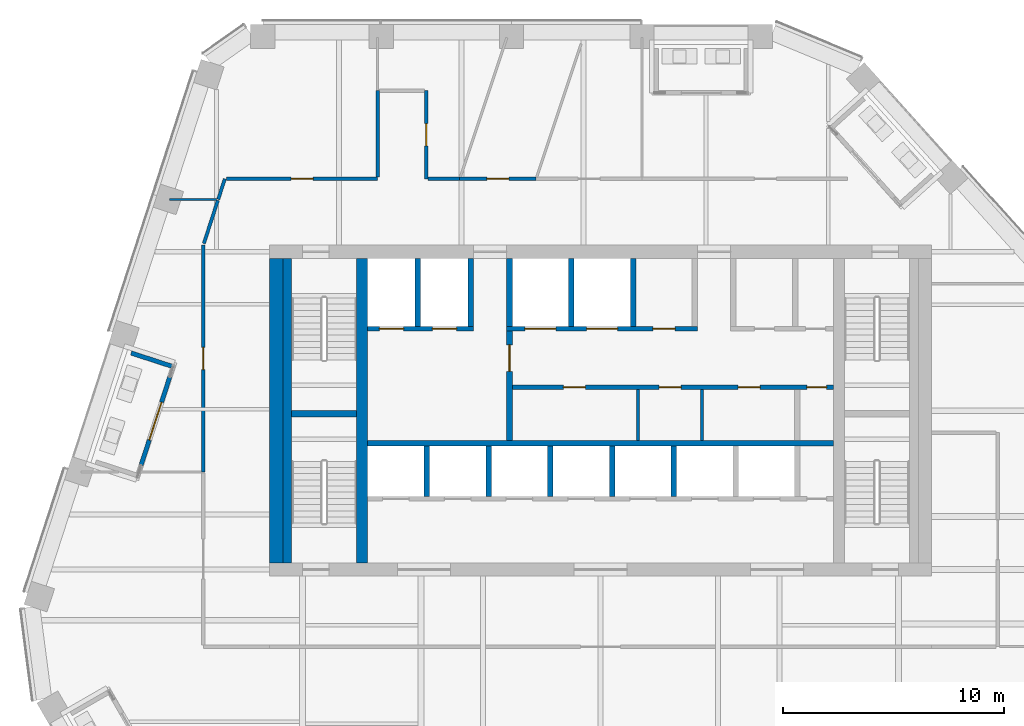
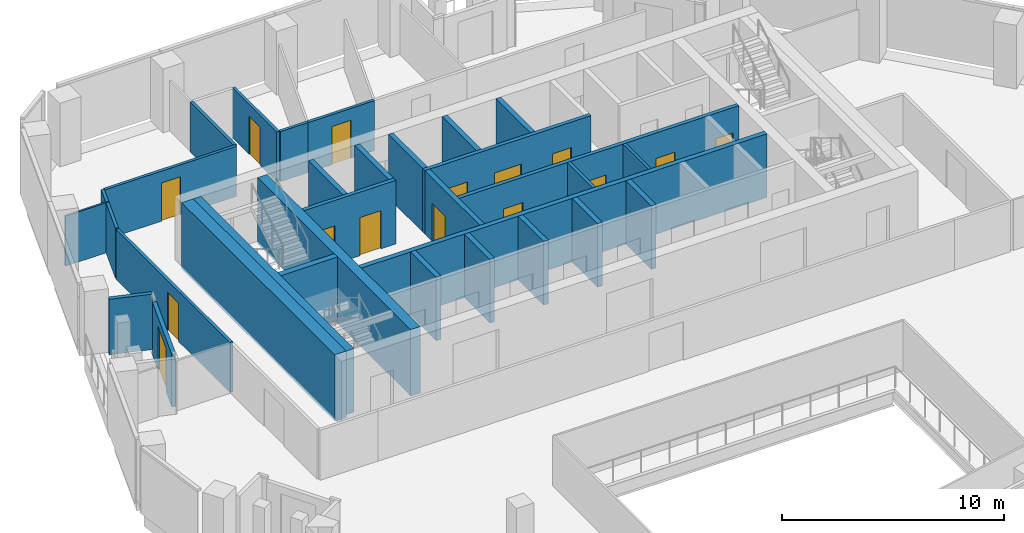
# One storey, part 16 of 24: 32 walls, 15 doors, 15 openings.
"""IFC4 building model written with IfcOpenShell, lengths in metres."""

from ifc_helpers import new_model, si_unit, direction, frame, frame_2d, origin, place, context, subcontext, project, spatial, rectangle, extrude, material, layer, layer_set, type_object, element, fill, save


model = new_model("IFC4")

# Units and contexts
model_context = context("Model", 3, precision=1e-05, world=origin(), true_north=direction((0.0, 1.0)))
body_context = subcontext(model_context, "Body", "Model", "MODEL_VIEW")
ifc_project = project(units=[si_unit("LENGTHUNIT", "METRE"), si_unit("AREAUNIT", "SQUARE_METRE"), si_unit("VOLUMEUNIT", "CUBIC_METRE"), si_unit("PLANEANGLEUNIT", "RADIAN"), si_unit("MASSUNIT", "GRAM", prefix="KILO")], contexts=[model_context])

# Site, building, storey
site_placement = place(None, origin())
site = spatial("IfcSite", under=ifc_project, at=site_placement, CompositionType="ELEMENT")
building_placement = place(site_placement, origin())
building = spatial("IfcBuilding", under=site, at=building_placement, Name="Isthmus Gate Tower", CompositionType="ELEMENT")
storey_placement = place(building_placement, frame((0.0, 0.0, 219.949951171875)))
storey = spatial("IfcBuildingStorey", under=building, at=storey_placement, Name="L55", CompositionType="ELEMENT", Elevation=219.949951171875)

# Wall, opening, door
ifc_material_1 = material(Name="Gypsum board on steel studs, fire-rated", Category="steel")
ifc_layer_1 = layer(ifc_material_1, 0.14990234375)
ifc_layer_set_1 = layer_set([ifc_layer_1], Name="CORRIDOR WALL 150 60 MIN")
wall_type_1 = type_object("IfcWallType", Name="CORRIDOR WALL 150 60 MIN", PredefinedType="PARTITIONING", material=ifc_layer_set_1)
wall_1_placement = place(storey_placement, frame((-7.89990234375, 22.0, 0.0), z_axis=(0.0, 0.0, 1.0), x_axis=(0.0, -1.0, 0.0)))
wall_1 = element("IfcWall", 1, at=wall_1_placement, inside=storey, type_object=wall_type_1, Name="L55 Corridor Wall 150 60 Min", PredefinedType="PARTITIONING", context=body_context, shape_type="SweptSolid", body=[
    extrude(rectangle(XDim=4.0, YDim=0.14990234375, at=frame_2d((2.0, 0.0))), origin(), (0.0, 0.0, 1.0), 2.750732421875),
])
opening_1_placement = place(wall_1_placement, frame((1.5, 0.0, 0.0)))
opening_1 = element("IfcOpeningElement", 2, at=opening_1_placement, cuts=wall_1, Name="Opening DT-T5A-09", PredefinedType="OPENING", context=body_context, shape_type="SweptSolid", body=[
    extrude(rectangle(XDim=1.0, YDim=2.10009765625, at=frame_2d((0.5, 1.050048828125))), frame((0.0, 0.0849609375, 0.0), z_axis=(0.0, -1.0, 0.0), x_axis=(1.0, 0.0, 0.0)), (0.0, 0.0, 1.0), 0.169921875),
])
ifc_material_2 = material(Name="Solid core timber door leaf, fire-rated", Category="wood")
door_type_1 = type_object("IfcDoorType", Name="FIRE DOOR ROOM 1000 X 2100 60 MIN", OperationType="SINGLE_SWING_LEFT", PredefinedType="DOOR", material=ifc_material_2)
door_1_placement = place(opening_1_placement, origin())
door_1 = element("IfcDoor", 3, at=door_1_placement, inside=storey, type_object=door_type_1, Name="L55 room door", OperationType="SINGLE_SWING_RIGHT", OverallHeight=2.10009765625, OverallWidth=1.0, PredefinedType="DOOR", context=body_context, shape_type="SweptSolid", body=[
    extrude(rectangle(XDim=1.0, YDim=2.10009765625, at=frame_2d((0.5, 1.050048828125))), frame((0.0, 0.02490234375, 0.0), z_axis=(0.0, -1.0, 0.0), x_axis=(1.0, 0.0, 0.0)), (0.0, 0.0, 1.0), 0.050048828125),
])
fill(opening_1, door_1)

# Wall
wall_2_placement = place(storey_placement, frame((-17.326904296875, 17.071044921875, 0.0), z_axis=(0.0, 0.0, 1.0), x_axis=(0.309170843074, 0.951006514064, 0.0)))
element("IfcWall", 4, at=wall_2_placement, inside=storey, type_object=wall_type_1, Name="L55 Corridor Wall 150 60 Min", PredefinedType="PARTITIONING", context=body_context, shape_type="SweptSolid", body=[
    extrude(rectangle(XDim=0.976806640625, YDim=0.14990234375, at=frame_2d((0.48828125, 0.0))), origin(), (0.0, 0.0, 1.0), 2.750732421875),
])

# Wall, opening, door
wall_3_placement = place(storey_placement, frame((-16.949951171875, 18.0, 0.0), z_axis=(0.0, 0.0, 1.0), x_axis=(1.0, 0.0, 0.0)))
wall_3 = element("IfcWall", 5, at=wall_3_placement, inside=storey, type_object=wall_type_1, Name="L55 Corridor Wall 150 60 Min", PredefinedType="PARTITIONING", context=body_context, shape_type="SweptSolid", body=[
    extrude(rectangle(XDim=6.849853515625, YDim=0.14990234375, at=frame_2d((3.4248046875, 0.0))), origin(), (0.0, 0.0, 1.0), 2.750732421875),
])
opening_2_placement = place(wall_3_placement, frame((2.925048828125, 0.0, 0.0)))
opening_2 = element("IfcOpeningElement", 6, at=opening_2_placement, cuts=wall_3, Name="Opening DT-T5A-01", PredefinedType="OPENING", context=body_context, shape_type="SweptSolid", body=[
    extrude(rectangle(XDim=1.0, YDim=2.10009765625, at=frame_2d((0.5, 1.050048828125))), frame((0.0, 0.0849609375, 0.0), z_axis=(0.0, -1.0, 0.0), x_axis=(1.0, 0.0, 0.0)), (0.0, 0.0, 1.0), 0.169921875),
])
door_2_placement = place(opening_2_placement, origin())
door_2 = element("IfcDoor", 7, at=door_2_placement, inside=storey, type_object=door_type_1, Name="L55 room door", OperationType="SINGLE_SWING_RIGHT", OverallHeight=2.10009765625, OverallWidth=1.0, PredefinedType="DOOR", context=body_context, shape_type="SweptSolid", body=[
    extrude(rectangle(XDim=1.0, YDim=2.10009765625, at=frame_2d((0.5, 1.050048828125))), frame((0.0, 0.02490234375, 0.0), z_axis=(0.0, -1.0, 0.0), x_axis=(1.0, 0.0, 0.0)), (0.0, 0.0, 1.0), 0.050048828125),
])
fill(opening_2, door_2)

# Wall
wall_4_placement = place(storey_placement, frame((-10.10009765625, 18.074951171875, 0.0), z_axis=(0.0, 0.0, 1.0), x_axis=(0.0, 1.0, 0.0)))
element("IfcWall", 8, at=wall_4_placement, inside=storey, type_object=wall_type_1, Name="L55 Corridor Wall 150 60 Min", PredefinedType="PARTITIONING", context=body_context, shape_type="SweptSolid", body=[
    extrude(rectangle(XDim=3.925048828125, YDim=0.14990234375, at=frame_2d((1.96240234375, 0.0))), origin(), (0.0, 0.0, 1.0), 2.750732421875),
])

# Wall, opening, door
wall_5_placement = place(storey_placement, frame((-18.0, 4.722900390625, 0.0), z_axis=(0.0, 0.0, 1.0), x_axis=(0.0, 1.0, 0.0)))
wall_5 = element("IfcWall", 9, at=wall_5_placement, inside=storey, type_object=wall_type_1, Name="L55 Corridor Wall 150 60 Min", PredefinedType="PARTITIONING", context=body_context, shape_type="SweptSolid", body=[
    extrude(rectangle(XDim=10.275146484375, YDim=0.14990234375, at=frame_2d((5.1376953125, 0.0))), origin(), (0.0, 0.0, 1.0), 2.750732421875),
])
opening_3_placement = place(wall_5_placement, frame((4.637451171875, 0.0, 0.0)))
opening_3 = element("IfcOpeningElement", 10, at=opening_3_placement, cuts=wall_5, Name="Opening DT-T5A-03", PredefinedType="OPENING", context=body_context, shape_type="SweptSolid", body=[
    extrude(rectangle(XDim=1.0, YDim=2.10009765625, at=frame_2d((0.5, 1.050048828125))), frame((0.0, 0.0849609375, 0.0), z_axis=(0.0, -1.0, 0.0), x_axis=(1.0, 0.0, 0.0)), (0.0, 0.0, 1.0), 0.169921875),
])
door_3_placement = place(opening_3_placement, origin())
door_3 = element("IfcDoor", 11, at=door_3_placement, inside=storey, type_object=door_type_1, Name="L55 room door", OperationType="SINGLE_SWING_RIGHT", OverallHeight=2.10009765625, OverallWidth=1.0, PredefinedType="DOOR", context=body_context, shape_type="SweptSolid", body=[
    extrude(rectangle(XDim=1.0, YDim=2.10009765625, at=frame_2d((0.5, 1.050048828125))), frame((0.0, 0.02490234375, 0.0), z_axis=(0.0, -1.0, 0.0), x_axis=(1.0, 0.0, 0.0)), (0.0, 0.0, 1.0), 0.050048828125),
])
fill(opening_3, door_3)

# Wall
wall_6_placement = place(storey_placement, frame((-17.976806640625, 15.0693359375, 0.0), z_axis=(0.0, 0.0, 1.0), x_axis=(0.308838863498, 0.951114376084, 0.0)))
element("IfcWall", 12, at=wall_6_placement, inside=storey, type_object=wall_type_1, Name="L55 Corridor Wall 150 60 Min", PredefinedType="PARTITIONING", context=body_context, shape_type="SweptSolid", body=[
    extrude(rectangle(XDim=2.054443359375, YDim=0.14990234375, at=frame_2d((1.02734375, 0.0))), origin(), (0.0, 0.0, 1.0), 2.750732421875),
])

# Wall, opening, door
wall_7_placement = place(storey_placement, frame((-6.382080078125, 18.0, 0.0), z_axis=(0.0, 0.0, 1.0), x_axis=(1.0, 0.0, 0.0)))
wall_7 = element("IfcWall", 13, at=wall_7_placement, inside=storey, type_object=wall_type_1, Name="L55 Corridor Wall 150 60 Min", PredefinedType="PARTITIONING", context=body_context, shape_type="SweptSolid", body=[
    extrude(rectangle(XDim=3.462158203125, YDim=0.14990234375, at=frame_2d((1.73095703125, 0.0))), origin(), (0.0, 0.0, 1.0), 2.750732421875),
])
opening_4_placement = place(wall_7_placement, frame((1.23095703125, 0.0, 0.0)))
opening_4 = element("IfcOpeningElement", 14, at=opening_4_placement, cuts=wall_7, Name="Opening DT-T5A-08", PredefinedType="OPENING", context=body_context, shape_type="SweptSolid", body=[
    extrude(rectangle(XDim=1.0, YDim=2.10009765625, at=frame_2d((0.5, 1.050048828125))), frame((0.0, 0.0849609375, 0.0), z_axis=(0.0, -1.0, 0.0), x_axis=(1.0, 0.0, 0.0)), (0.0, 0.0, 1.0), 0.169921875),
])
door_4_placement = place(opening_4_placement, origin())
door_4 = element("IfcDoor", 15, at=door_4_placement, inside=storey, type_object=door_type_1, Name="L55 room door", OperationType="SINGLE_SWING_RIGHT", OverallHeight=2.10009765625, OverallWidth=1.0, PredefinedType="DOOR", context=body_context, shape_type="SweptSolid", body=[
    extrude(rectangle(XDim=1.0, YDim=2.10009765625, at=frame_2d((0.5, 1.050048828125))), frame((0.0, 0.02490234375, 0.0), z_axis=(0.0, -1.0, 0.0), x_axis=(1.0, 0.0, 0.0)), (0.0, 0.0, 1.0), 0.050048828125),
])
fill(opening_4, door_4)

# Wall
wall_8_placement = place(storey_placement, frame((-7.824951171875, 18.0, 0.0), z_axis=(0.0, 0.0, 1.0), x_axis=(1.0, 0.0, 0.0)))
element("IfcWall", 16, at=wall_8_placement, inside=storey, type_object=wall_type_1, Name="L55 Corridor Wall 150 60 Min", PredefinedType="PARTITIONING", context=body_context, shape_type="SweptSolid", body=[
    extrude(rectangle(XDim=1.44287109375, YDim=0.14990234375, at=frame_2d((0.721435546875, 0.0))), origin(), (0.0, 0.0, 1.0), 2.750732421875),
])

# Wall, opening, door
ifc_material_3 = material(Name="Fire-rated blockwork masonry, 15 MPa", Category="masonry")
ifc_layer_2 = layer(ifc_material_3, 0.25)
ifc_layer_set_2 = layer_set([ifc_layer_2], Name="FIRE-FIGHTING LOBBY WALL 250 90 MIN")
wall_type_2 = type_object("IfcWallType", Name="FIRE-FIGHTING LOBBY WALL 250 90 MIN", PredefinedType="PARTITIONING", material=ifc_layer_set_2)
wall_9_placement = place(storey_placement, frame((-4.125, 6.14990234375, 0.0), z_axis=(0.0, 0.0, 1.0), x_axis=(0.0, 1.0, 0.0)))
wall_9 = element("IfcWall", 17, at=wall_9_placement, inside=storey, type_object=wall_type_2, Name="L55 FIRE-FIGHTING LOBBY WALL 250 90 MIN", PredefinedType="PARTITIONING", context=body_context, shape_type="SweptSolid", body=[
    extrude(rectangle(XDim=4.9501953125, YDim=0.25, at=frame_2d((2.47509765625, 0.0))), origin(), (0.0, 0.0, 1.0), 3.5),
])
opening_5_placement = place(wall_9_placement, frame((3.125, 0.0, 0.0)))
opening_5 = element("IfcOpeningElement", 18, at=opening_5_placement, cuts=wall_9, Name="Opening DC-A17-01", PredefinedType="OPENING", context=body_context, shape_type="SweptSolid", body=[
    extrude(rectangle(XDim=1.199951171875, YDim=2.10009765625, at=frame_2d((0.60009765625, 1.050048828125))), frame((0.0, 0.135009765625, 0.0), z_axis=(0.0, -1.0, 0.0), x_axis=(1.0, 0.0, 0.0)), (0.0, 0.0, 1.0), 0.27001953125),
])
ifc_material_4 = material(Name="Steel door leaf, fire-rated", Category="steel")
door_type_2 = type_object("IfcDoorType", Name="LOBBY FIRE DOOR 1200 X 2100 90 MIN", OperationType="DOUBLE_DOOR_SINGLE_SWING", PredefinedType="DOOR", material=ifc_material_4)
door_5_placement = place(opening_5_placement, origin())
door_5 = element("IfcDoor", 19, at=door_5_placement, inside=storey, type_object=door_type_2, Name="Fire-fighting Lobby Door", OperationType="SINGLE_SWING_LEFT", OverallHeight=2.10009765625, OverallWidth=1.199951171875, PredefinedType="DOOR", context=body_context, shape_type="SweptSolid", body=[
    extrude(rectangle(XDim=1.199951171875, YDim=2.10009765625, at=frame_2d((0.60009765625, 1.050048828125))), frame((0.0, 0.02490234375, 0.0), z_axis=(0.0, -1.0, 0.0), x_axis=(1.0, 0.0, 0.0)), (0.0, 0.0, 1.0), 0.050048828125),
])
fill(opening_5, door_5)

ifc_material_5 = material(Name="Precast concrete C40/50", Category="concrete")
ifc_layer_3 = layer(ifc_material_5, 0.199951171875)
ifc_layer_set_3 = layer_set([ifc_layer_3], Name="LOGGIA WALL 200")
wall_type_3 = type_object("IfcWallType", Name="LOGGIA WALL 200", PredefinedType="SOLIDWALL", material=ifc_layer_set_3)
wall_10_placement = place(storey_placement, frame((-19.522216796875, 9.018798828125, 0.0), z_axis=(0.0, 0.0, 1.0), x_axis=(-0.30901640812, -0.951056706781, 0.0)))
wall_10 = element("IfcWall", 20, at=wall_10_placement, inside=storey, type_object=wall_type_3, Name="LOGGIA BACK WALL", PredefinedType="SOLIDWALL", context=body_context, shape_type="SweptSolid", body=[
    extrude(rectangle(XDim=4.199951171875, YDim=0.199951171875, at=frame_2d((2.10009765625, 0.0))), origin(), (0.0, 0.0, 1.0), 2.89990234375),
])
opening_6_placement = place(wall_10_placement, frame((1.199951171875, 0.0, 0.0)))
opening_6 = element("IfcOpeningElement", 21, at=opening_6_placement, cuts=wall_10, Name="Opening DE55-02", PredefinedType="OPENING", context=body_context, shape_type="SweptSolid", body=[
    extrude(rectangle(XDim=1.800048828125, YDim=2.39990234375, at=frame_2d((0.89990234375, 1.199951171875))), frame((0.0, 0.10986328125, 0.0), z_axis=(0.0, -1.0, 0.0), x_axis=(1.0, 0.0, 0.0)), (0.0, 0.0, 1.0), 0.219970703125),
])
ifc_material_6 = material(Name="Aluminium, pale champagne anodised, laminated glass", Category="aluminium")
door_type_3 = type_object("IfcDoorType", Name="LOGGIA DOOR SLIDING 1800 X 2400", OperationType="DOUBLE_DOOR_SLIDING", PredefinedType="DOOR", material=ifc_material_6)
door_6_placement = place(opening_6_placement, origin())
door_6 = element("IfcDoor", 22, at=door_6_placement, inside=storey, type_object=door_type_3, Name="DOOR DE55-02", OperationType="SINGLE_SWING_LEFT", OverallHeight=2.39990234375, OverallWidth=1.800048828125, PredefinedType="DOOR", context=body_context, shape_type="SweptSolid", body=[
    extrude(rectangle(XDim=1.800048828125, YDim=2.39990234375, at=frame_2d((0.89990234375, 1.199951171875))), frame((0.0, 0.02490234375, 0.0), z_axis=(0.0, -1.0, 0.0), x_axis=(1.0, 0.0, 0.0)), (0.0, 0.0, 1.0), 0.050048828125),
])
fill(opening_6, door_6)

# Walls
wall_11_placement = place(storey_placement, frame((-21.27099609375, 10.108642578125, 0.0), z_axis=(0.0, 0.0, 1.0), x_axis=(0.951019598045, -0.309130593981, 0.0)))
element("IfcWall", 23, at=wall_11_placement, inside=storey, type_object=wall_type_3, Name="LOGGIA SIDE WALL", PredefinedType="SOLIDWALL", context=body_context, shape_type="SweptSolid", body=[
    extrude(rectangle(XDim=1.98388671875, YDim=0.199951171875, at=frame_2d((0.991943359375, 0.0))), origin(), (0.0, 0.0, 1.0), 3.050048828125),
])
ifc_material_7 = material(Name="Concrete f'c 50 MPa", Category="concrete")
ifc_layer_4 = layer(ifc_material_7, 0.5)
ifc_layer_set_4 = layer_set([ifc_layer_4], Name="RC CORE SPINE WALL 500 F'C 50")
wall_type_4 = type_object("IfcWallType", Name="RC CORE SPINE WALL 500 F'C 50", PredefinedType="SOLIDWALL", material=ifc_layer_set_4)
wall_12_placement = place(storey_placement, frame((-10.800048828125, 0.60009765625, -0.14990234375), z_axis=(0.0, 0.0, 1.0), x_axis=(0.0, 1.0, 0.0)))
element("IfcWall", 24, at=wall_12_placement, inside=storey, type_object=wall_type_4, Name="str-corewall-L55-SPW", PredefinedType="SOLIDWALL", context=body_context, shape_type="SweptSolid", body=[
    extrude(rectangle(XDim=13.7998046875, YDim=0.5, at=frame_2d((6.89990234375, 0.0))), origin(), (0.0, 0.0, 1.0), 3.64990234375),
])
ifc_material_8 = material(Name="Concrete f'c 50 MPa", Category="concrete")
ifc_layer_5 = layer(ifc_material_8, 0.60009765625)
ifc_layer_set_5 = layer_set([ifc_layer_5], Name="RC CORE WALL 600 F'C 50")
wall_type_5 = type_object("IfcWallType", Name="RC CORE WALL 600 F'C 50", PredefinedType="SOLIDWALL", material=ifc_layer_set_5)
wall_13_placement = place(storey_placement, frame((-14.699951171875, 0.60009765625, -0.14990234375), z_axis=(0.0, 0.0, 1.0), x_axis=(0.0, 1.0, 0.0)))
element("IfcWall", 25, at=wall_13_placement, inside=storey, type_object=wall_type_5, Name="str-corewall-L55-W", PredefinedType="SOLIDWALL", context=body_context, shape_type="SweptSolid", body=[
    extrude(rectangle(XDim=13.7998046875, YDim=0.60009765625, at=frame_2d((6.89990234375, 0.0))), origin(), (0.0, 0.0, 1.0), 3.64990234375),
])
ifc_material_9 = material(Name="Gypsum board on steel studs, fire-rated", Category="steel")
ifc_layer_6 = layer(ifc_material_9, 0.10009765625)
ifc_layer_set_6 = layer_set([ifc_layer_6], Name="ROOM PARTITION 100 30 MIN")
wall_type_6 = type_object("IfcWallType", Name="ROOM PARTITION 100 30 MIN", PredefinedType="PARTITIONING", material=ifc_layer_set_6)
wall_14_placement = place(storey_placement, frame((-19.534912109375, 17.071044921875, 0.0), z_axis=(0.0, 0.0, 1.0), x_axis=(1.0, 0.0, 0.0)))
element("IfcWall", 26, at=wall_14_placement, inside=storey, type_object=wall_type_6, Name="L55 Room Partition 100 30 Min", PredefinedType="PARTITIONING", context=body_context, shape_type="SweptSolid", body=[
    extrude(rectangle(XDim=2.1328125, YDim=0.10009765625, at=frame_2d((1.06640625, 0.0))), origin(), (0.0, 0.0, 1.0), 2.750732421875),
])
ifc_material_10 = material(Name="Gypsum board on steel studs, fire-rated", Category="steel")
ifc_layer_7 = layer(ifc_material_10, 0.14990234375)
ifc_layer_set_7 = layer_set([ifc_layer_7], Name="ROOM PARTITION 150 60 MIN")
wall_type_7 = type_object("IfcWallType", Name="ROOM PARTITION 150 60 MIN", PredefinedType="PARTITIONING", material=ifc_layer_set_7)
for number, where, z_axis, x_axis, name in (
    (27, (1.699951171875, 6.14990234375, 0.0), (0.0, 0.0, 1.0), (0.0, 1.0, 0.0), "L55 ROOM PARTITION 150 60 MIN"),
    (28, (4.60009765625, 6.14990234375, 0.0), (0.0, 0.0, 1.0), (0.0, 1.0, 0.0), "L55 ROOM PARTITION 150 60 MIN"),
):
    element("IfcWall", number, at=place(storey_placement, frame(where, z_axis=z_axis, x_axis=x_axis)), inside=storey, type_object=wall_type_7, Name=name, PredefinedType="PARTITIONING", context=body_context, shape_type="SweptSolid", body=[
        extrude(rectangle(XDim=2.300048828125, YDim=0.14990234375, at=frame_2d((1.14990234375, 0.0))), origin(), (0.0, 0.0, 1.0), 3.5),
    ])

# Wall, openings, doors
ifc_material_11 = material(Name="Fire-rated blockwork masonry, 15 MPa", Category="masonry")
ifc_layer_8 = layer(ifc_material_11, 0.199951171875)
ifc_layer_set_8 = layer_set([ifc_layer_8], Name="SHAFT FRONT WALL 200 120 MIN")
wall_type_8 = type_object("IfcWallType", Name="SHAFT FRONT WALL 200 120 MIN", PredefinedType="PARTITIONING", material=ifc_layer_set_8)
wall_15_placement = place(storey_placement, frame((-4.125, 8.550048828125, 0.0), z_axis=(0.0, 0.0, 1.0), x_axis=(1.0, 0.0, 0.0)))
wall_15 = element("IfcWall", 29, at=wall_15_placement, inside=storey, type_object=wall_type_8, Name="L55 SHAFT FRONT WALL 200 120 MIN", PredefinedType="PARTITIONING", context=body_context, shape_type="SweptSolid", body=[
    extrude(rectangle(XDim=14.675048828125, YDim=0.199951171875, at=frame_2d((7.33740234375, 0.0))), origin(), (0.0, 0.0, 1.0), 3.5),
])
opening_7_placement = place(wall_15_placement, frame((2.4375, 0.0, 0.0)))
opening_7 = element("IfcOpeningElement", 30, at=opening_7_placement, cuts=wall_15, Name="Opening DC-A17-03", PredefinedType="OPENING", context=body_context, shape_type="SweptSolid", body=[
    extrude(rectangle(XDim=1.0, YDim=2.10009765625, at=frame_2d((0.5, 1.050048828125))), frame((0.0, 0.10986328125, 0.0), z_axis=(0.0, -1.0, 0.0), x_axis=(1.0, 0.0, 0.0)), (0.0, 0.0, 1.0), 0.219970703125),
])
opening_8_placement = place(wall_15_placement, frame((6.77490234375, 0.0, 0.0)))
opening_8 = element("IfcOpeningElement", 31, at=opening_8_placement, cuts=wall_15, Name="Opening DC-A17-04", PredefinedType="OPENING", context=body_context, shape_type="SweptSolid", body=[
    extrude(rectangle(XDim=1.0, YDim=2.10009765625, at=frame_2d((0.5, 1.050048828125))), frame((0.0, 0.10986328125, 0.0), z_axis=(0.0, -1.0, 0.0), x_axis=(1.0, 0.0, 0.0)), (0.0, 0.0, 1.0), 0.219970703125),
])
opening_9_placement = place(wall_15_placement, frame((10.362548828125, 0.0, 0.0)))
opening_9 = element("IfcOpeningElement", 32, at=opening_9_placement, cuts=wall_15, Name="Opening DC-A17-05", PredefinedType="OPENING", context=body_context, shape_type="SweptSolid", body=[
    extrude(rectangle(XDim=1.0, YDim=2.10009765625, at=frame_2d((0.5, 1.050048828125))), frame((0.0, 0.10986328125, 0.0), z_axis=(0.0, -1.0, 0.0), x_axis=(1.0, 0.0, 0.0)), (0.0, 0.0, 1.0), 0.219970703125),
])
opening_10_placement = place(wall_15_placement, frame((13.47509765625, 0.0, 0.0)))
opening_10 = element("IfcOpeningElement", 33, at=opening_10_placement, cuts=wall_15, Name="Opening DC-A17-06", PredefinedType="OPENING", context=body_context, shape_type="SweptSolid", body=[
    extrude(rectangle(XDim=0.89990234375, YDim=2.10009765625, at=frame_2d((0.449951171875, 1.050048828125))), frame((0.0, 0.10986328125, 0.0), z_axis=(0.0, -1.0, 0.0), x_axis=(1.0, 0.0, 0.0)), (0.0, 0.0, 1.0), 0.219970703125),
])
ifc_material_12 = material(Name="Steel door leaf, fire-rated", Category="steel")
door_type_4 = type_object("IfcDoorType", Name="FIRE DOOR 1000 X 2100 60 MIN", OperationType="SINGLE_SWING_LEFT", PredefinedType="DOOR", material=ifc_material_12)
door_7_placement = place(opening_7_placement, origin())
door_7 = element("IfcDoor", 34, at=door_7_placement, inside=storey, type_object=door_type_4, Name="WC Men Door", OperationType="SINGLE_SWING_LEFT", OverallHeight=2.10009765625, OverallWidth=1.0, PredefinedType="DOOR", context=body_context, shape_type="SweptSolid", body=[
    extrude(rectangle(XDim=1.0, YDim=2.10009765625, at=frame_2d((0.5, 1.050048828125))), frame((0.0, 0.02490234375, 0.0), z_axis=(0.0, -1.0, 0.0), x_axis=(1.0, 0.0, 0.0)), (0.0, 0.0, 1.0), 0.050048828125),
])
fill(opening_7, door_7)
door_8_placement = place(opening_8_placement, origin())
door_8 = element("IfcDoor", 35, at=door_8_placement, inside=storey, type_object=door_type_4, Name="Accessible WC Door", OperationType="SINGLE_SWING_RIGHT", OverallHeight=2.10009765625, OverallWidth=1.0, PredefinedType="DOOR", context=body_context, shape_type="SweptSolid", body=[
    extrude(rectangle(XDim=1.0, YDim=2.10009765625, at=frame_2d((0.5, 1.050048828125))), frame((0.0, 0.02490234375, 0.0), z_axis=(0.0, -1.0, 0.0), x_axis=(1.0, 0.0, 0.0)), (0.0, 0.0, 1.0), 0.050048828125),
])
fill(opening_8, door_8)
door_9_placement = place(opening_9_placement, origin())
door_9 = element("IfcDoor", 36, at=door_9_placement, inside=storey, type_object=door_type_4, Name="WC Women Door", OperationType="SINGLE_SWING_LEFT", OverallHeight=2.10009765625, OverallWidth=1.0, PredefinedType="DOOR", context=body_context, shape_type="SweptSolid", body=[
    extrude(rectangle(XDim=1.0, YDim=2.10009765625, at=frame_2d((0.5, 1.050048828125))), frame((0.0, 0.02490234375, 0.0), z_axis=(0.0, -1.0, 0.0), x_axis=(1.0, 0.0, 0.0)), (0.0, 0.0, 1.0), 0.050048828125),
])
fill(opening_9, door_9)
ifc_material_13 = material(Name="Steel door leaf, fire-rated", Category="steel")
door_type_5 = type_object("IfcDoorType", Name="RISER FIRE DOOR 900 X 2100 90 MIN", OperationType="SINGLE_SWING_LEFT", PredefinedType="DOOR", material=ifc_material_13)
door_10_placement = place(opening_10_placement, origin())
door_10 = element("IfcDoor", 37, at=door_10_placement, inside=storey, type_object=door_type_5, Name="Riser Door", OperationType="SINGLE_SWING_RIGHT", OverallHeight=2.10009765625, OverallWidth=0.89990234375, PredefinedType="DOOR", context=body_context, shape_type="SweptSolid", body=[
    extrude(rectangle(XDim=0.89990234375, YDim=2.10009765625, at=frame_2d((0.449951171875, 1.050048828125))), frame((0.0, 0.02490234375, 0.0), z_axis=(0.0, -1.0, 0.0), x_axis=(1.0, 0.0, 0.0)), (0.0, 0.0, 1.0), 0.050048828125),
])
fill(opening_10, door_10)

wall_16_placement = place(storey_placement, frame((-10.550048828125, 11.199951171875, 0.0), z_axis=(0.0, 0.0, 1.0), x_axis=(1.0, 0.0, 0.0)))
wall_16 = element("IfcWall", 38, at=wall_16_placement, inside=storey, type_object=wall_type_8, Name="L55 SHAFT FRONT WALL 200 120 MIN", PredefinedType="PARTITIONING", context=body_context, shape_type="SweptSolid", body=[
    extrude(rectangle(XDim=4.800048828125, YDim=0.199951171875, at=frame_2d((2.39990234375, 0.0))), origin(), (0.0, 0.0, 1.0), 3.5),
])
opening_11_placement = place(wall_16_placement, frame((0.52490234375, 0.0, 0.0)))
opening_11 = element("IfcOpeningElement", 39, at=opening_11_placement, cuts=wall_16, Name="Opening LD-LF1", PredefinedType="OPENING", context=body_context, shape_type="SweptSolid", body=[
    extrude(rectangle(XDim=1.10009765625, YDim=2.10009765625, at=frame_2d((0.550048828125, 1.050048828125))), frame((0.0, 0.10986328125, 0.0), z_axis=(0.0, -1.0, 0.0), x_axis=(1.0, 0.0, 0.0)), (0.0, 0.0, 1.0), 0.219970703125),
])
opening_12_placement = place(wall_16_placement, frame((2.925048828125, 0.0, 0.0)))
opening_12 = element("IfcOpeningElement", 40, at=opening_12_placement, cuts=wall_16, Name="Opening LD-LF2", PredefinedType="OPENING", context=body_context, shape_type="SweptSolid", body=[
    extrude(rectangle(XDim=1.10009765625, YDim=2.10009765625, at=frame_2d((0.550048828125, 1.050048828125))), frame((0.0, 0.10986328125, 0.0), z_axis=(0.0, -1.0, 0.0), x_axis=(1.0, 0.0, 0.0)), (0.0, 0.0, 1.0), 0.219970703125),
])
ifc_material_14 = material(Name="Stainless steel sliding leaf", Category="steel")
door_type_6 = type_object("IfcDoorType", Name="LIFT LANDING FIRE DOOR 1100 X 2100 90 MIN", OperationType="DOUBLE_DOOR_SLIDING", PredefinedType="DOOR", material=ifc_material_14)
door_11_placement = place(opening_11_placement, origin())
door_11 = element("IfcDoor", 41, at=door_11_placement, inside=storey, type_object=door_type_6, Name="Lift Landing Door LF1", OperationType="DOUBLE_DOOR_SLIDING", OverallHeight=2.10009765625, OverallWidth=1.10009765625, PredefinedType="DOOR", context=body_context, shape_type="SweptSolid", body=[
    extrude(rectangle(XDim=1.10009765625, YDim=2.10009765625, at=frame_2d((0.550048828125, 1.050048828125))), frame((0.0, 0.02490234375, 0.0), z_axis=(0.0, -1.0, 0.0), x_axis=(1.0, 0.0, 0.0)), (0.0, 0.0, 1.0), 0.050048828125),
])
fill(opening_11, door_11)
door_12_placement = place(opening_12_placement, origin())
door_12 = element("IfcDoor", 42, at=door_12_placement, inside=storey, type_object=door_type_6, Name="Lift Landing Door LF2", OperationType="DOUBLE_DOOR_SLIDING", OverallHeight=2.10009765625, OverallWidth=1.10009765625, PredefinedType="DOOR", context=body_context, shape_type="SweptSolid", body=[
    extrude(rectangle(XDim=1.10009765625, YDim=2.10009765625, at=frame_2d((0.550048828125, 1.050048828125))), frame((0.0, 0.02490234375, 0.0), z_axis=(0.0, -1.0, 0.0), x_axis=(1.0, 0.0, 0.0)), (0.0, 0.0, 1.0), 0.050048828125),
])
fill(opening_12, door_12)

wall_17_placement = place(storey_placement, frame((-4.25, 11.199951171875, 0.0), z_axis=(0.0, 0.0, 1.0), x_axis=(1.0, 0.0, 0.0)))
wall_17 = element("IfcWall", 43, at=wall_17_placement, inside=storey, type_object=wall_type_8, Name="L55 SHAFT FRONT WALL 200 120 MIN", PredefinedType="PARTITIONING", context=body_context, shape_type="SweptSolid", body=[
    extrude(rectangle(XDim=8.64990234375, YDim=0.199951171875, at=frame_2d((4.324951171875, 0.0))), origin(), (0.0, 0.0, 1.0), 3.5),
])
opening_13_placement = place(wall_17_placement, frame((0.824951171875, 0.0, 0.0)))
opening_13 = element("IfcOpeningElement", 44, at=opening_13_placement, cuts=wall_17, Name="Opening LD-LV1", PredefinedType="OPENING", context=body_context, shape_type="SweptSolid", body=[
    extrude(rectangle(XDim=1.39990234375, YDim=2.10009765625, at=frame_2d((0.699951171875, 1.050048828125))), frame((0.0, 0.10986328125, 0.0), z_axis=(0.0, -1.0, 0.0), x_axis=(1.0, 0.0, 0.0)), (0.0, 0.0, 1.0), 0.219970703125),
])
opening_14_placement = place(wall_17_placement, frame((3.625, 0.0, 0.0)))
opening_14 = element("IfcOpeningElement", 45, at=opening_14_placement, cuts=wall_17, Name="Opening LD-LV2", PredefinedType="OPENING", context=body_context, shape_type="SweptSolid", body=[
    extrude(rectangle(XDim=1.39990234375, YDim=2.10009765625, at=frame_2d((0.699951171875, 1.050048828125))), frame((0.0, 0.10986328125, 0.0), z_axis=(0.0, -1.0, 0.0), x_axis=(1.0, 0.0, 0.0)), (0.0, 0.0, 1.0), 0.219970703125),
])
opening_15_placement = place(wall_17_placement, frame((6.625, 0.0, 0.0)))
opening_15 = element("IfcOpeningElement", 46, at=opening_15_placement, cuts=wall_17, Name="Opening DC-A17-07", PredefinedType="OPENING", context=body_context, shape_type="SweptSolid", body=[
    extrude(rectangle(XDim=1.0, YDim=2.10009765625, at=frame_2d((0.5, 1.050048828125))), frame((0.0, 0.10986328125, 0.0), z_axis=(0.0, -1.0, 0.0), x_axis=(1.0, 0.0, 0.0)), (0.0, 0.0, 1.0), 0.219970703125),
])
door_13_placement = place(opening_15_placement, origin())
door_13 = element("IfcDoor", 47, at=door_13_placement, inside=storey, type_object=door_type_4, Name="Pantry Door", OperationType="SINGLE_SWING_LEFT", OverallHeight=2.10009765625, OverallWidth=1.0, PredefinedType="DOOR", context=body_context, shape_type="SweptSolid", body=[
    extrude(rectangle(XDim=1.0, YDim=2.10009765625, at=frame_2d((0.5, 1.050048828125))), frame((0.0, 0.02490234375, 0.0), z_axis=(0.0, -1.0, 0.0), x_axis=(1.0, 0.0, 0.0)), (0.0, 0.0, 1.0), 0.050048828125),
])
fill(opening_15, door_13)
ifc_material_15 = material(Name="Stainless steel sliding leaf", Category="steel")
door_type_7 = type_object("IfcDoorType", Name="LIFT LANDING FIRE DOOR 1400 X 2100 90 MIN", OperationType="DOUBLE_DOOR_SLIDING", PredefinedType="DOOR", material=ifc_material_15)
door_14_placement = place(opening_13_placement, origin())
door_14 = element("IfcDoor", 48, at=door_14_placement, inside=storey, type_object=door_type_7, Name="Lift Landing Door LV1", OperationType="DOUBLE_DOOR_SLIDING", OverallHeight=2.10009765625, OverallWidth=1.39990234375, PredefinedType="DOOR", context=body_context, shape_type="SweptSolid", body=[
    extrude(rectangle(XDim=1.39990234375, YDim=2.10009765625, at=frame_2d((0.699951171875, 1.050048828125))), frame((0.0, 0.02490234375, 0.0), z_axis=(0.0, -1.0, 0.0), x_axis=(1.0, 0.0, 0.0)), (0.0, 0.0, 1.0), 0.050048828125),
])
fill(opening_13, door_14)
door_15_placement = place(opening_14_placement, origin())
door_15 = element("IfcDoor", 49, at=door_15_placement, inside=storey, type_object=door_type_7, Name="Lift Landing Door LV2", OperationType="DOUBLE_DOOR_SLIDING", OverallHeight=2.10009765625, OverallWidth=1.39990234375, PredefinedType="DOOR", context=body_context, shape_type="SweptSolid", body=[
    extrude(rectangle(XDim=1.39990234375, YDim=2.10009765625, at=frame_2d((0.699951171875, 1.050048828125))), frame((0.0, 0.02490234375, 0.0), z_axis=(0.0, -1.0, 0.0), x_axis=(1.0, 0.0, 0.0)), (0.0, 0.0, 1.0), 0.050048828125),
])
fill(opening_14, door_15)

# Walls
ifc_material_16 = material(Name="Fire-rated blockwork masonry, 15 MPa", Category="masonry")
ifc_layer_9 = layer(ifc_material_16, 0.25)
ifc_layer_set_9 = layer_set([ifc_layer_9], Name="SHAFT WALL 250 120 MIN")
wall_type_9 = type_object("IfcWallType", Name="SHAFT WALL 250 120 MIN", PredefinedType="PARTITIONING", material=ifc_layer_set_9)
wall_18_placement = place(storey_placement, frame((-10.550048828125, 6.02490234375, 0.0), z_axis=(0.0, 0.0, 1.0), x_axis=(1.0, 0.0, 0.0)))
element("IfcWall", 50, at=wall_18_placement, inside=storey, type_object=wall_type_9, Name="L55 SHAFT WALL 250 120 MIN", PredefinedType="PARTITIONING", context=body_context, shape_type="SweptSolid", body=[
    extrude(rectangle(XDim=21.10009765625, YDim=0.25, at=frame_2d((10.550048828125, 0.0))), origin(), (0.0, 0.0, 1.0), 3.5),
])
for number, where, z_axis, x_axis, name in (
    (51, (-7.875, 3.60009765625, 0.0), (0.0, 0.0, 1.0), (0.0, 1.0, 0.0), "L55 SHAFT WALL 250 120 MIN"),
    (52, (-5.074951171875, 3.60009765625, 0.0), (0.0, 0.0, 1.0), (0.0, 1.0, 0.0), "L55 SHAFT WALL 250 120 MIN"),
    (53, (-2.27490234375, 3.60009765625, 0.0), (0.0, 0.0, 1.0), (0.0, 1.0, 0.0), "L55 SHAFT WALL 250 120 MIN"),
    (54, (0.52490234375, 3.60009765625, 0.0), (0.0, 0.0, 1.0), (0.0, 1.0, 0.0), "L55 SHAFT WALL 250 120 MIN"),
    (55, (3.324951171875, 3.60009765625, 0.0), (0.0, 0.0, 1.0), (0.0, 1.0, 0.0), "L55 SHAFT WALL 250 120 MIN"),
):
    element("IfcWall", number, at=place(storey_placement, frame(where, z_axis=z_axis, x_axis=x_axis)), inside=storey, type_object=wall_type_9, Name=name, PredefinedType="PARTITIONING", context=body_context, shape_type="SweptSolid", body=[
        extrude(rectangle(XDim=2.2998046875, YDim=0.25, at=frame_2d((1.14990234375, 0.0))), origin(), (0.0, 0.0, 1.0), 3.5),
    ])
for number, where, z_axis, x_axis, name in (
    (56, (-8.27490234375, 11.300048828125, 0.0), (0.0, 0.0, 1.0), (0.0, 1.0, 0.0), "L55 SHAFT WALL 250 120 MIN"),
    (57, (-5.875, 11.300048828125, 0.0), (0.0, 0.0, 1.0), (0.0, 1.0, 0.0), "L55 SHAFT WALL 250 120 MIN"),
    (58, (-4.125, 11.300048828125, 0.0), (0.0, 0.0, 1.0), (0.0, 1.0, 0.0), "L55 SHAFT WALL 250 120 MIN"),
    (59, (-1.324951171875, 11.300048828125, 0.0), (0.0, 0.0, 1.0), (0.0, 1.0, 0.0), "L55 SHAFT WALL 250 120 MIN"),
    (60, (1.47509765625, 11.300048828125, 0.0), (0.0, 0.0, 1.0), (0.0, 1.0, 0.0), "L55 SHAFT WALL 250 120 MIN"),
):
    element("IfcWall", number, at=place(storey_placement, frame(where, z_axis=z_axis, x_axis=x_axis)), inside=storey, type_object=wall_type_9, Name=name, PredefinedType="PARTITIONING", context=body_context, shape_type="SweptSolid", body=[
        extrude(rectangle(XDim=3.099853515625, YDim=0.25, at=frame_2d((1.5498046875, 0.0))), origin(), (0.0, 0.0, 1.0), 3.5),
    ])
ifc_material_17 = material(Name="Concrete f'c 40 MPa", Category="concrete")
ifc_layer_10 = layer(ifc_material_17, 0.300048828125)
ifc_layer_set_10 = layer_set([ifc_layer_10], Name="STAIR ENCLOSURE WALL 300 180 MIN")
wall_type_10 = type_object("IfcWallType", Name="STAIR ENCLOSURE WALL 300 180 MIN", PredefinedType="SOLIDWALL", material=ifc_layer_set_10)
wall_19_placement = place(storey_placement, frame((-14.0, 7.35009765625, 0.0), z_axis=(0.0, 0.0, 1.0), x_axis=(1.0, 0.0, 0.0)))
element("IfcWall", 61, at=wall_19_placement, inside=storey, type_object=wall_type_10, Name="L55 STAIR ENCLOSURE WALL 300 180 MIN", PredefinedType="SOLIDWALL", context=body_context, shape_type="SweptSolid", body=[
    extrude(rectangle(XDim=2.949951171875, YDim=0.300048828125, at=frame_2d((1.47509765625, 0.0))), origin(), (0.0, 0.0, 1.0), 3.5),
])
ifc_material_18 = material(Name="Concrete f'c 40 MPa", Category="concrete")
ifc_layer_11 = layer(ifc_material_18, 0.39990234375)
ifc_layer_set_11 = layer_set([ifc_layer_11], Name="STAIR ENCLOSURE WALL 400 180 MIN")
wall_type_11 = type_object("IfcWallType", Name="STAIR ENCLOSURE WALL 400 180 MIN", PredefinedType="SOLIDWALL", material=ifc_layer_set_11)
wall_20_placement = place(storey_placement, frame((-14.199951171875, 0.60009765625, 0.0), z_axis=(0.0, 0.0, 1.0), x_axis=(0.0, 1.0, 0.0)))
element("IfcWall", 62, at=wall_20_placement, inside=storey, type_object=wall_type_11, Name="L55 STAIR ENCLOSURE WALL 400 180 MIN", PredefinedType="SOLIDWALL", context=body_context, shape_type="SweptSolid", body=[
    extrude(rectangle(XDim=13.7998046875, YDim=0.39990234375, at=frame_2d((6.89990234375, 0.0))), origin(), (0.0, 0.0, 1.0), 3.5),
])

save(model, "model.ifc")
